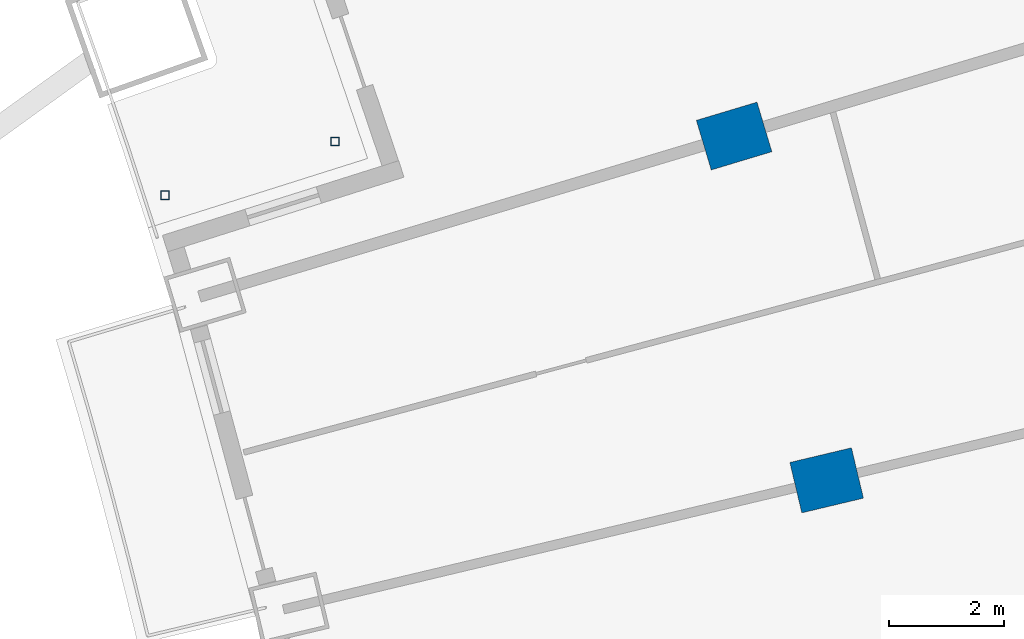
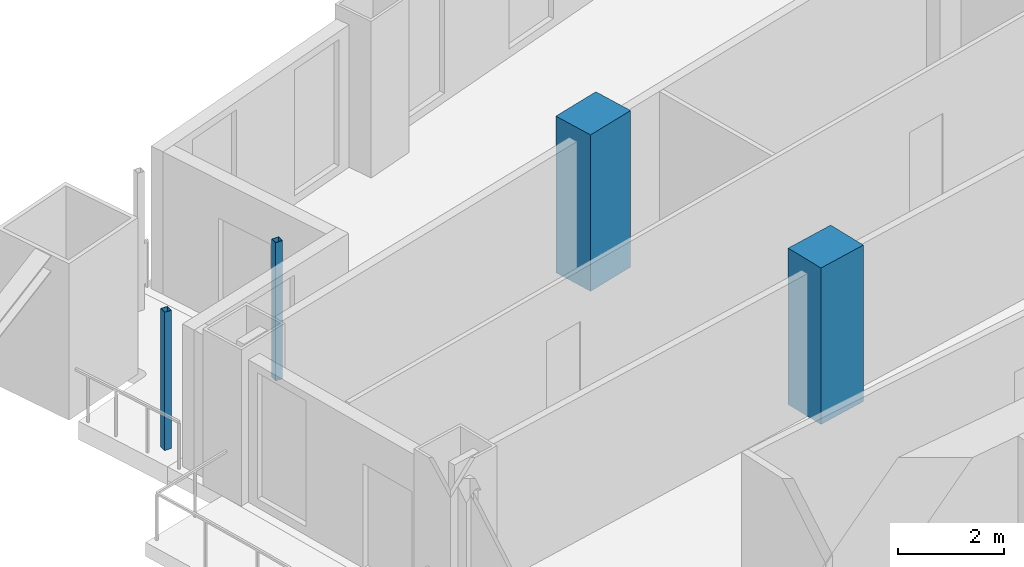
# One storey, part 7 of 25: 4 columns.
"""IFC4 building model written with IfcOpenShell, lengths in metres."""

from ifc_helpers import new_model, si_unit, direction, frame, origin, origin_2d, place, context, subcontext, project, spatial, rectangle, hollow_rectangle, extrude, material, material_profile, profile_set, type_object, element, save


model = new_model("IFC4")

# Units and contexts
model_context = context("Model", 3, precision=1e-05, world=origin(), true_north=direction((0.0, 1.0)))
body_context = subcontext(model_context, "Body", "Model", "MODEL_VIEW")
ifc_project = project(units=[si_unit("LENGTHUNIT", "METRE"), si_unit("AREAUNIT", "SQUARE_METRE"), si_unit("VOLUMEUNIT", "CUBIC_METRE"), si_unit("PLANEANGLEUNIT", "RADIAN"), si_unit("MASSUNIT", "GRAM", prefix="KILO")], contexts=[model_context])

# Site, building, storey
site_placement = place(None, origin())
site = spatial("IfcSite", under=ifc_project, at=site_placement, CompositionType="ELEMENT")
building_placement = place(site_placement, origin())
building = spatial("IfcBuilding", under=site, at=building_placement, Name="Alderwake Tower", CompositionType="ELEMENT")
storey_placement = place(building_placement, frame((0.0, 0.0, 68.0)))
storey = spatial("IfcBuildingStorey", under=building, at=storey_placement, Name="L16", CompositionType="ELEMENT", Elevation=68.0)

# Columns
ifc_material_1 = material(Name="Concrete C70/85", Category="concrete")
ifc_material_profile_1 = material_profile(ifc_material_1, rectangle(XDim=0.89990234375, YDim=1.10009765625, at=origin_2d()), Name="RC 1100X900")
ifc_profile_set_1 = profile_set([ifc_material_profile_1], Name="Concrete C70/85")
column_type_1 = type_object("IfcColumnType", Name="Interior column Z1", PredefinedType="COLUMN", material=ifc_profile_set_1)
for number, where, z_axis, x_axis, name in (
    (1, (23.322021484375, 85.555908203125, 0.0), (0.0, 0.0, 1.0), (-0.231221547198, 0.972901123502, 0.0), "Column R11-C1"),
    (2, (21.714599609375, 91.53759765625, 0.0), (0.0, 0.0, 1.0), (-0.287549418125, 0.957765802342, 0.0), "Column R12-C1"),
):
    element("IfcColumn", number, at=place(storey_placement, frame(where, z_axis=z_axis, x_axis=x_axis)), inside=storey, type_object=column_type_1, Name=name, PredefinedType="COLUMN", context=body_context, shape_type="SweptSolid", body=[
        extrude(rectangle(XDim=0.89990234375, YDim=1.10009765625, at=origin_2d()), origin(), (0.0, 0.0, 1.0), 3.60009765625),
    ])
ifc_material_2 = material(Name="Steel ASTM A500 Grade C", Category="steel")
ifc_material_profile_2 = material_profile(ifc_material_2, hollow_rectangle(XDim=0.15234375, YDim=0.15234375, WallThickness=0.0087890625, at=origin_2d()), Name="HSS6X6X3/8")
ifc_profile_set_2 = profile_set([ifc_material_profile_2], Name="Steel ASTM A500 Grade C")
column_type_2 = type_object("IfcColumnType", Name="Light post HSS6X6X3/8", PredefinedType="COLUMN", material=ifc_profile_set_2)
for number, where, z_axis, x_axis, name in (
    (3, (11.82568359375, 90.507080078125, 0.0), (0.0, 0.0, 1.0), (1.0, 0.0, 0.0), "Terrace post RN1"),
    (4, (14.781494140625, 91.441650390625, 0.0), (0.0, 0.0, 1.0), (1.0, 0.0, 0.0), "Terrace post RN3"),
):
    element("IfcColumn", number, at=place(storey_placement, frame(where, z_axis=z_axis, x_axis=x_axis)), inside=storey, type_object=column_type_2, Name=name, PredefinedType="COLUMN", context=body_context, shape_type="SweptSolid", body=[
        extrude(hollow_rectangle(XDim=0.15234375, YDim=0.15234375, WallThickness=0.0087890625, at=origin_2d()), origin(), (0.0, 0.0, 1.0), 3.179931640625),
    ])

save(model, "model.ifc")
